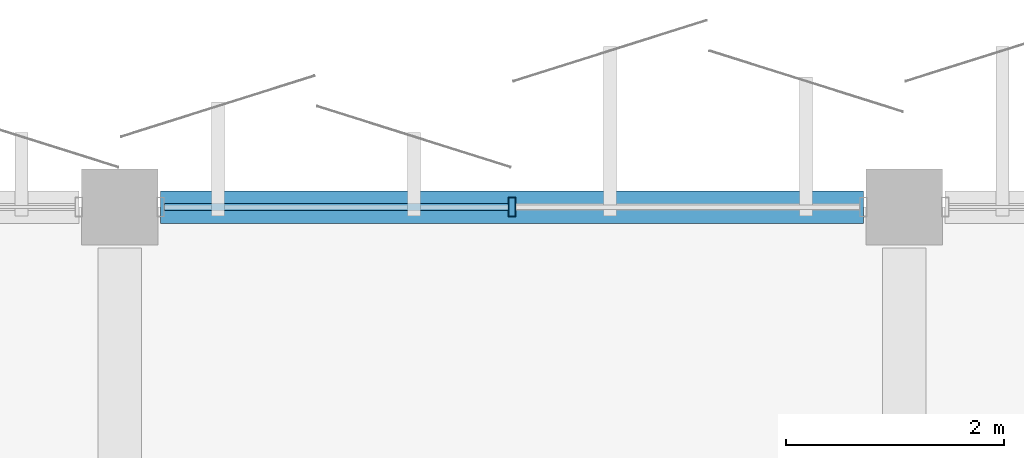
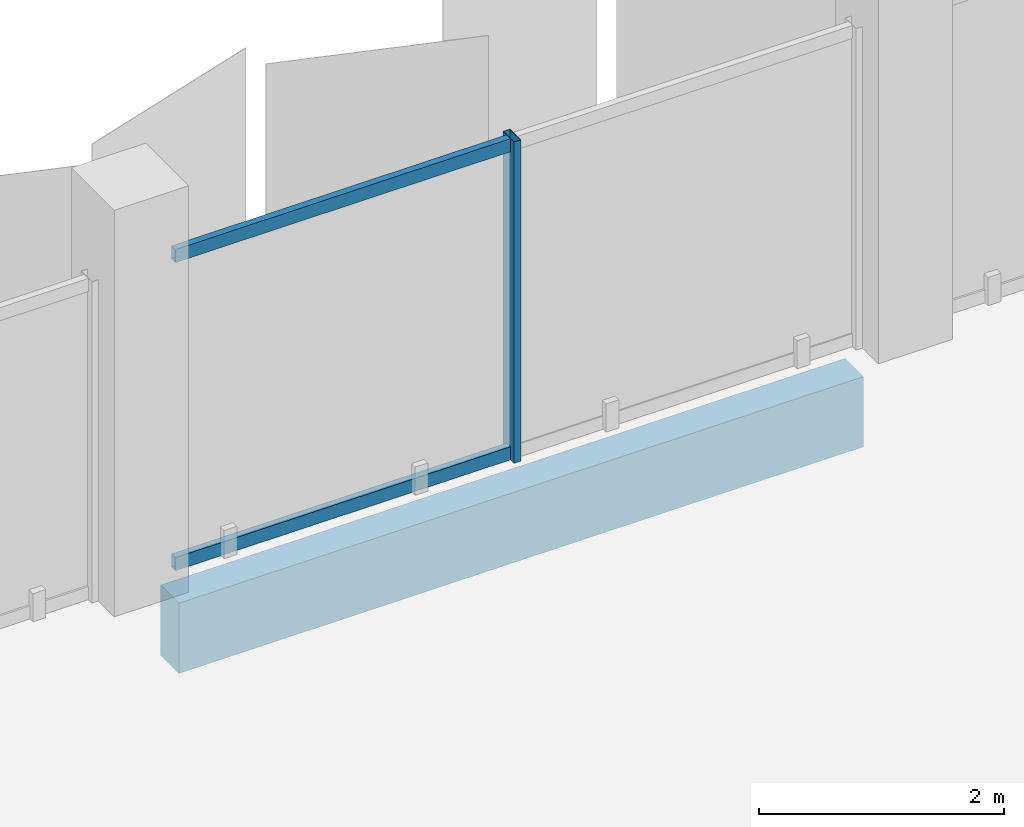
# One storey, part 52 of 107: 3 members, 1 beam, 1 element without a shape of its own.
"""IFC4 building model written with IfcOpenShell, lengths in metres."""

from ifc_helpers import new_model, si_unit, direction, frame, origin, origin_2d, place, context, subcontext, project, spatial, rectangle, hollow_rectangle, extrude, material, layer, layer_set, material_profile, profile_set, type_object, element, aggregate, save


model = new_model("IFC4")

# Units and contexts
model_context = context("Model", 3, precision=1e-05, world=origin(), true_north=direction((0.0, 1.0)))
body_context = subcontext(model_context, "Body", "Model", "MODEL_VIEW")
ifc_project = project(units=[si_unit("LENGTHUNIT", "METRE"), si_unit("AREAUNIT", "SQUARE_METRE"), si_unit("VOLUMEUNIT", "CUBIC_METRE"), si_unit("PLANEANGLEUNIT", "RADIAN"), si_unit("MASSUNIT", "GRAM", prefix="KILO")], contexts=[model_context])

# Site, building, storey
site_placement = place(None, origin())
site = spatial("IfcSite", under=ifc_project, at=site_placement, CompositionType="ELEMENT")
building_placement = place(site_placement, origin())
building = spatial("IfcBuilding", under=site, at=building_placement, Name="Kangsadwip Square Police Headquarters", CompositionType="ELEMENT")
storey_placement = place(building_placement, frame((0.0, 0.0, 5.39990234375)))
storey = spatial("IfcBuildingStorey", under=building, at=storey_placement, Name="L01", CompositionType="ELEMENT", Elevation=5.39990234375)

# Curtain wall, members
ifc_material_1 = material(Name="Thermally broken anodised aluminium AW-6063-T6", Category="aluminium")
ifc_layer = layer(ifc_material_1, 0.159912109375)
ifc_layer_set = layer_set([ifc_layer], Name="Thermally broken anodised aluminium AW-6063-T6")
curtain_wall_type = type_object("IfcCurtainWallType", Name="UnitisedCw6510x3200", PredefinedType="NOTDEFINED", material=ifc_layer_set)
curtain_wall_placement = place(storey_placement, origin())
curtain_wall = element("IfcCurtainWall", 1, at=curtain_wall_placement, inside=storey, type_object=curtain_wall_type, Name="Curtain Wall CW-L01-1227-1152", PredefinedType="NOTDEFINED")
ifc_material_2 = material(Name="Thermally broken anodised aluminium AW-6063-T6", Category="aluminium")
ifc_material_profile_1 = material_profile(ifc_material_2, hollow_rectangle(XDim=0.06494140625, YDim=0.179931640625, WallThickness=0.00390625, at=origin_2d()), Name="CWM 180X65X4")
ifc_profile_set_1 = profile_set([ifc_material_profile_1], Name="Thermally broken anodised aluminium AW-6063-T6")
member_type_1 = type_object("IfcMemberType", Name="CwMullion160x65", PredefinedType="MULLION", material=ifc_profile_set_1)
member_1_placement = place(storey_placement, frame((126.0, 115.199951171875, 0.0), z_axis=(0.0, 0.0, 1.0), x_axis=(1.0, 0.0, 0.0)))
member_1 = element("IfcMember", 2, at=member_1_placement, type_object=member_type_1, Name="CW-24 mullion 2", PredefinedType="MULLION", context=body_context, shape_type="SweptSolid", body=[
    extrude(hollow_rectangle(XDim=0.06494140625, YDim=0.179931640625, WallThickness=0.00390625, at=origin_2d()), origin(), (0.0, 0.0, 1.0), 3.2001953125),
])
ifc_material_3 = material(Name="Thermally broken anodised aluminium AW-6063-T6", Category="aluminium")
ifc_material_profile_2 = material_profile(ifc_material_3, hollow_rectangle(XDim=0.06494140625, YDim=0.1298828125, WallThickness=0.00390625, at=origin_2d()), Name="CWT 130X65X4")
ifc_profile_set_2 = profile_set([ifc_material_profile_2], Name="Thermally broken anodised aluminium AW-6063-T6")
member_type_2 = type_object("IfcMemberType", Name="CwTransom140x60", PredefinedType="USERDEFINED", material=ifc_profile_set_2)
member_2_placement = place(storey_placement, frame((122.81005859375, 115.199951171875, 0.065185546875), z_axis=(1.0, 0.0, 0.0), x_axis=(0.0, 1.0, 0.0)))
member_2 = element("IfcMember", 3, at=member_2_placement, type_object=member_type_2, Name="CW-24 transom 1.1", ObjectType="TRANSOM", PredefinedType="USERDEFINED", context=body_context, shape_type="SweptSolid", body=[
    extrude(hollow_rectangle(XDim=0.06494140625, YDim=0.1298828125, WallThickness=0.00390625, at=origin_2d()), origin(), (0.0, 0.0, 1.0), 3.157470703125),
])
member_3_placement = place(storey_placement, frame((122.81005859375, 115.199951171875, 3.135009765625), z_axis=(1.0, 0.0, 0.0), x_axis=(0.0, 1.0, 0.0)))
member_3 = element("IfcMember", 4, at=member_3_placement, type_object=member_type_2, Name="CW-24 transom 1.2", ObjectType="TRANSOM", PredefinedType="USERDEFINED", context=body_context, shape_type="SweptSolid", body=[
    extrude(hollow_rectangle(XDim=0.06494140625, YDim=0.1298828125, WallThickness=0.00390625, at=origin_2d()), origin(), (0.0, 0.0, 1.0), 3.157470703125),
])
aggregate(curtain_wall, [member_1, member_2, member_3])

# Beam
ifc_material_4 = material(Name="Concrete M40 (40 MPa)", Category="concrete")
ifc_material_profile_3 = material_profile(ifc_material_4, rectangle(XDim=0.300048828125, YDim=0.699951171875, at=origin_2d()), Name="RC SPN 700X300")
ifc_profile_set_3 = profile_set([ifc_material_profile_3], Name="Concrete M40 (40 MPa)")
beam_type = type_object("IfcBeamType", Name="RcSpandrel700x300", PredefinedType="SPANDREL", material=ifc_profile_set_3)
beam_placement = place(storey_placement, frame((122.77490234375, 115.199951171875, -0.58984375), z_axis=(1.0, 0.0, 0.0), x_axis=(0.0, 1.0, 0.0)))
element("IfcBeam", 5, at=beam_placement, inside=storey, type_object=beam_type, Name="Beam BM-L01-X-17-16", PredefinedType="SPANDREL", context=body_context, shape_type="SweptSolid", body=[
    extrude(rectangle(XDim=0.300048828125, YDim=0.699951171875, at=origin_2d()), origin(), (0.0, 0.0, 1.0), 6.4501953125),
])

save(model, "model.ifc")
